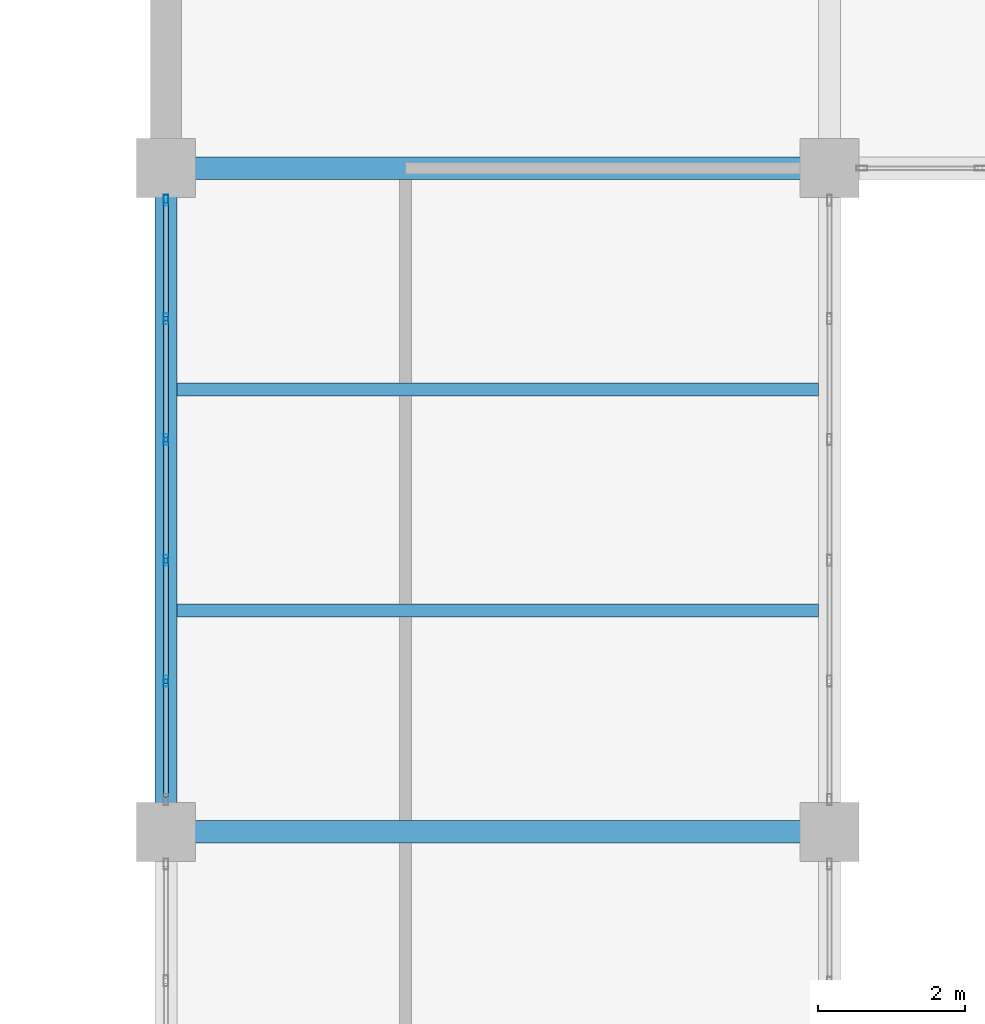
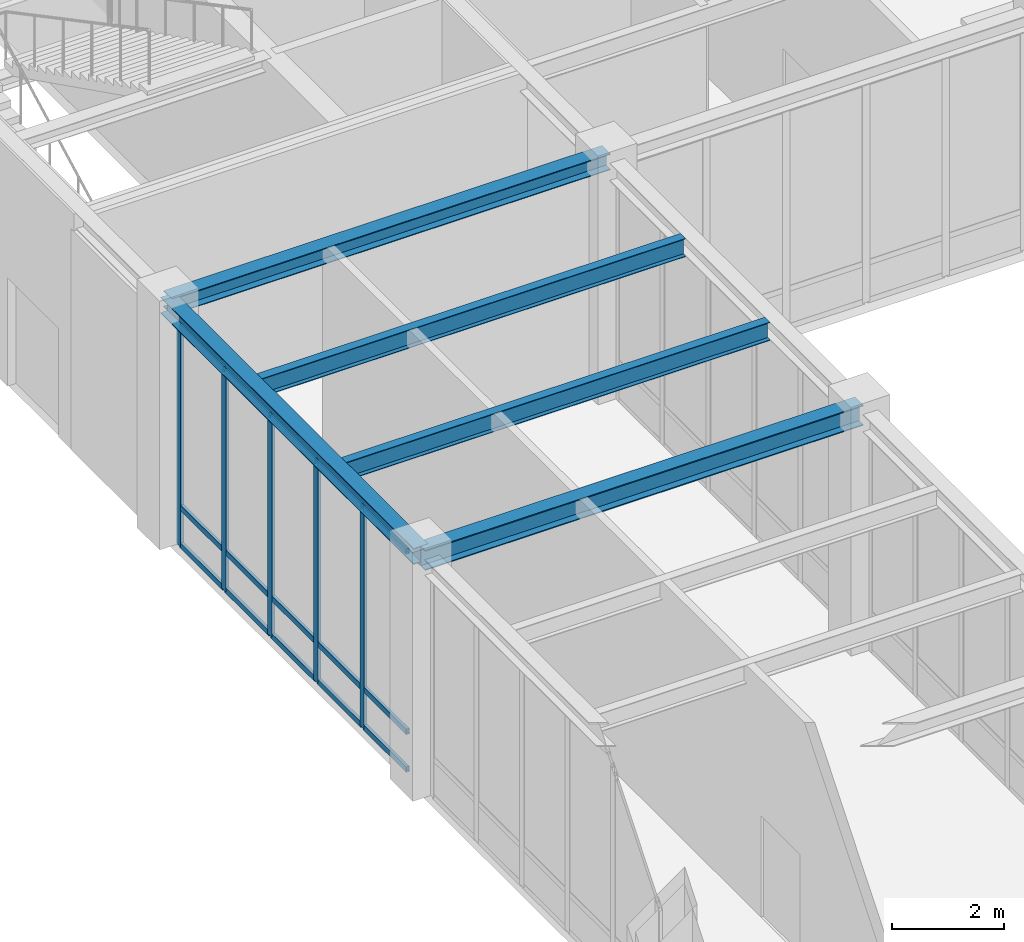
# One storey, part 23 of 77: 20 members, 5 beams, 1 element without a shape of its own.
"""IFC4 building model written with IfcOpenShell, lengths in metres."""

from ifc_helpers import new_model, si_unit, direction, frame, origin, origin_2d, place, context, subcontext, project, spatial, hollow_rectangle, i_section, extrude, material, material_profile, profile_set, type_object, element, aggregate, save


model = new_model("IFC4")

# Units and contexts
model_context = context("Model", 3, precision=1e-05, world=origin(), true_north=direction((0.0, 1.0)))
body_context = subcontext(model_context, "Body", "Model", "MODEL_VIEW")
ifc_project = project(units=[si_unit("LENGTHUNIT", "METRE"), si_unit("AREAUNIT", "SQUARE_METRE"), si_unit("VOLUMEUNIT", "CUBIC_METRE"), si_unit("PLANEANGLEUNIT", "RADIAN"), si_unit("MASSUNIT", "GRAM", prefix="KILO")], contexts=[model_context])

# Site, building, storey
site_placement = place(None, origin())
site = spatial("IfcSite", under=ifc_project, at=site_placement, CompositionType="ELEMENT")
building_placement = place(site_placement, origin())
building = spatial("IfcBuilding", under=site, at=building_placement, Name="Lykobir Media Centre", CompositionType="ELEMENT")
storey_placement = place(building_placement, origin())
storey = spatial("IfcBuildingStorey", under=building, at=storey_placement, Name="L00", CompositionType="ELEMENT", Elevation=0.0)

# Beam
ifc_material_1 = material(Name="Steel S355", Category="steel")
ifc_material_profile_1 = material_profile(ifc_material_1, i_section(OverallWidth=0.300048828125, OverallDepth=0.43994140625, WebThickness=0.011474609375, FlangeThickness=0.02099609375, at=origin_2d()), Name="HEA 450")
ifc_profile_set_1 = profile_set([ifc_material_profile_1], Name="Steel S355")
beam_type_1 = type_object("IfcBeamType", Name="BM-HEA450", PredefinedType="BEAM", material=ifc_profile_set_1)
beam_placement = place(storey_placement, frame((27.0, 54.0, 4.93994140625), z_axis=(1.0, 0.0, 0.0), x_axis=(0.0, 1.0, 0.0)))
element("IfcBeam", 1, at=beam_placement, inside=storey, type_object=beam_type_1, Name="Beam BM-L00-0270-0540-0360-0540-494", PredefinedType="BEAM", context=body_context, shape_type="SweptSolid", body=[
    extrude(i_section(OverallWidth=0.300048828125, OverallDepth=0.43994140625, WebThickness=0.011474609375, FlangeThickness=0.02099609375, at=origin_2d()), origin(), (0.0, 0.0, 1.0), 9.0),
])

# Curtain wall, members
ifc_material_2 = material(Name="Anodized Aluminium AW-6060", Category="aluminium")
curtain_wall_type = type_object("IfcCurtainWallType", Name="CW-COURT-A", PredefinedType="NOTDEFINED", material=ifc_material_2)
curtain_wall_placement = place(storey_placement, origin())
curtain_wall = element("IfcCurtainWall", 2, at=curtain_wall_placement, inside=storey, type_object=curtain_wall_type, Name="Curtain wall CW2-L00-0024", PredefinedType="NOTDEFINED")
ifc_material_profile_2 = material_profile(ifc_material_2, hollow_rectangle(XDim=0.06494140625, YDim=0.14990234375, WallThickness=0.00341796875, at=origin_2d()), Name="ALU MULLION 65x150")
ifc_profile_set_2 = profile_set([ifc_material_profile_2], Name="Anodized Aluminium AW-6060")
member_type_1 = type_object("IfcMemberType", Name="CWM-150", PredefinedType="MULLION", material=ifc_profile_set_2)
member_1_placement = place(storey_placement, frame((27.0, 56.04296875, 0.0), z_axis=(0.0, 0.0, 1.0), x_axis=(-1.0, 0.0, 0.0)))
member_1 = element("IfcMember", 3, at=member_1_placement, type_object=member_type_1, Name="CW2-L00-0024 mullion 2", PredefinedType="MULLION", context=body_context, shape_type="SweptSolid", body=[
    extrude(hollow_rectangle(XDim=0.06494140625, YDim=0.14990234375, WallThickness=0.00341796875, at=origin_2d()), origin(), (0.0, 0.0, 1.0), 4.794921875),
])
member_2_placement = place(storey_placement, frame((27.0, 57.680908203125, 0.0), z_axis=(0.0, 0.0, 1.0), x_axis=(-1.0, 0.0, 0.0)))
member_2 = element("IfcMember", 4, at=member_2_placement, type_object=member_type_1, Name="CW2-L00-0024 mullion 3", PredefinedType="MULLION", context=body_context, shape_type="SweptSolid", body=[
    extrude(hollow_rectangle(XDim=0.06494140625, YDim=0.14990234375, WallThickness=0.00341796875, at=origin_2d()), origin(), (0.0, 0.0, 1.0), 4.794921875),
])
member_3_placement = place(storey_placement, frame((27.0, 59.319091796875, 0.0), z_axis=(0.0, 0.0, 1.0), x_axis=(-1.0, 0.0, 0.0)))
member_3 = element("IfcMember", 5, at=member_3_placement, type_object=member_type_1, Name="CW2-L00-0024 mullion 4", PredefinedType="MULLION", context=body_context, shape_type="SweptSolid", body=[
    extrude(hollow_rectangle(XDim=0.06494140625, YDim=0.14990234375, WallThickness=0.00341796875, at=origin_2d()), origin(), (0.0, 0.0, 1.0), 4.794921875),
])
member_4_placement = place(storey_placement, frame((27.0, 60.95703125, 0.0), z_axis=(0.0, 0.0, 1.0), x_axis=(-1.0, 0.0, 0.0)))
member_4 = element("IfcMember", 6, at=member_4_placement, type_object=member_type_1, Name="CW2-L00-0024 mullion 5", PredefinedType="MULLION", context=body_context, shape_type="SweptSolid", body=[
    extrude(hollow_rectangle(XDim=0.06494140625, YDim=0.14990234375, WallThickness=0.00341796875, at=origin_2d()), origin(), (0.0, 0.0, 1.0), 4.794921875),
])
member_5_placement = place(storey_placement, frame((27.0, 62.5625, 0.0), z_axis=(0.0, 0.0, 1.0), x_axis=(-1.0, 0.0, 0.0)))
member_5 = element("IfcMember", 7, at=member_5_placement, type_object=member_type_1, Name="CW2-L00-0024 mullion 6", PredefinedType="MULLION", context=body_context, shape_type="SweptSolid", body=[
    extrude(hollow_rectangle(XDim=0.06494140625, YDim=0.14990234375, WallThickness=0.00341796875, at=origin_2d()), origin(), (0.0, 0.0, 1.0), 4.794921875),
])
ifc_material_profile_3 = material_profile(ifc_material_2, hollow_rectangle(XDim=0.06494140625, YDim=0.1201171875, WallThickness=0.0029296875, at=origin_2d()), Name="ALU TRANSOM 65x120")
ifc_profile_set_3 = profile_set([ifc_material_profile_3], Name="Anodized Aluminium AW-6060")
member_type_2 = type_object("IfcMemberType", Name="CWT-120", PredefinedType="USERDEFINED", material=ifc_profile_set_3)
member_6_placement = place(storey_placement, frame((27.0, 54.469970703125, 0.032470703125), z_axis=(0.0, 1.0, 0.0), x_axis=(-1.0, 0.0, 0.0)))
member_6 = element("IfcMember", 8, at=member_6_placement, type_object=member_type_2, Name="CW2-L00-0024 transom 1.1", ObjectType="TRANSOM", PredefinedType="USERDEFINED", context=body_context, shape_type="SweptSolid", body=[
    extrude(hollow_rectangle(XDim=0.06494140625, YDim=0.1201171875, WallThickness=0.0029296875, at=origin_2d()), origin(), (0.0, 0.0, 1.0), 1.54052734375),
])
member_7_placement = place(storey_placement, frame((27.0, 54.469970703125, 0.85009765625), z_axis=(0.0, 1.0, 0.0), x_axis=(-1.0, 0.0, 0.0)))
member_7 = element("IfcMember", 9, at=member_7_placement, type_object=member_type_2, Name="CW2-L00-0024 transom 1.2", ObjectType="TRANSOM", PredefinedType="USERDEFINED", context=body_context, shape_type="SweptSolid", body=[
    extrude(hollow_rectangle(XDim=0.06494140625, YDim=0.1201171875, WallThickness=0.0029296875, at=origin_2d()), origin(), (0.0, 0.0, 1.0), 1.54052734375),
])
member_8_placement = place(storey_placement, frame((27.0, 54.469970703125, 4.762451171875), z_axis=(0.0, 1.0, 0.0), x_axis=(-1.0, 0.0, 0.0)))
member_8 = element("IfcMember", 10, at=member_8_placement, type_object=member_type_2, Name="CW2-L00-0024 transom 1.3", ObjectType="TRANSOM", PredefinedType="USERDEFINED", context=body_context, shape_type="SweptSolid", body=[
    extrude(hollow_rectangle(XDim=0.06494140625, YDim=0.1201171875, WallThickness=0.0029296875, at=origin_2d()), origin(), (0.0, 0.0, 1.0), 1.54052734375),
])
member_9_placement = place(storey_placement, frame((27.0, 56.075439453125, 0.032470703125), z_axis=(0.0, 1.0, 0.0), x_axis=(-1.0, 0.0, 0.0)))
member_9 = element("IfcMember", 11, at=member_9_placement, type_object=member_type_2, Name="CW2-L00-0024 transom 2.1", ObjectType="TRANSOM", PredefinedType="USERDEFINED", context=body_context, shape_type="SweptSolid", body=[
    extrude(hollow_rectangle(XDim=0.06494140625, YDim=0.1201171875, WallThickness=0.0029296875, at=origin_2d()), origin(), (0.0, 0.0, 1.0), 1.572998046875),
])
member_10_placement = place(storey_placement, frame((27.0, 56.075439453125, 0.85009765625), z_axis=(0.0, 1.0, 0.0), x_axis=(-1.0, 0.0, 0.0)))
member_10 = element("IfcMember", 12, at=member_10_placement, type_object=member_type_2, Name="CW2-L00-0024 transom 2.2", ObjectType="TRANSOM", PredefinedType="USERDEFINED", context=body_context, shape_type="SweptSolid", body=[
    extrude(hollow_rectangle(XDim=0.06494140625, YDim=0.1201171875, WallThickness=0.0029296875, at=origin_2d()), origin(), (0.0, 0.0, 1.0), 1.572998046875),
])
member_11_placement = place(storey_placement, frame((27.0, 56.075439453125, 4.762451171875), z_axis=(0.0, 1.0, 0.0), x_axis=(-1.0, 0.0, 0.0)))
member_11 = element("IfcMember", 13, at=member_11_placement, type_object=member_type_2, Name="CW2-L00-0024 transom 2.3", ObjectType="TRANSOM", PredefinedType="USERDEFINED", context=body_context, shape_type="SweptSolid", body=[
    extrude(hollow_rectangle(XDim=0.06494140625, YDim=0.1201171875, WallThickness=0.0029296875, at=origin_2d()), origin(), (0.0, 0.0, 1.0), 1.572998046875),
])
member_12_placement = place(storey_placement, frame((27.0, 57.71337890625, 0.032470703125), z_axis=(0.0, 1.0, 0.0), x_axis=(-1.0, 0.0, 0.0)))
member_12 = element("IfcMember", 14, at=member_12_placement, type_object=member_type_2, Name="CW2-L00-0024 transom 3.1", ObjectType="TRANSOM", PredefinedType="USERDEFINED", context=body_context, shape_type="SweptSolid", body=[
    extrude(hollow_rectangle(XDim=0.06494140625, YDim=0.1201171875, WallThickness=0.0029296875, at=origin_2d()), origin(), (0.0, 0.0, 1.0), 1.5732421875),
])
member_13_placement = place(storey_placement, frame((27.0, 57.71337890625, 0.85009765625), z_axis=(0.0, 1.0, 0.0), x_axis=(-1.0, 0.0, 0.0)))
member_13 = element("IfcMember", 15, at=member_13_placement, type_object=member_type_2, Name="CW2-L00-0024 transom 3.2", ObjectType="TRANSOM", PredefinedType="USERDEFINED", context=body_context, shape_type="SweptSolid", body=[
    extrude(hollow_rectangle(XDim=0.06494140625, YDim=0.1201171875, WallThickness=0.0029296875, at=origin_2d()), origin(), (0.0, 0.0, 1.0), 1.5732421875),
])
member_14_placement = place(storey_placement, frame((27.0, 57.71337890625, 4.762451171875), z_axis=(0.0, 1.0, 0.0), x_axis=(-1.0, 0.0, 0.0)))
member_14 = element("IfcMember", 16, at=member_14_placement, type_object=member_type_2, Name="CW2-L00-0024 transom 3.3", ObjectType="TRANSOM", PredefinedType="USERDEFINED", context=body_context, shape_type="SweptSolid", body=[
    extrude(hollow_rectangle(XDim=0.06494140625, YDim=0.1201171875, WallThickness=0.0029296875, at=origin_2d()), origin(), (0.0, 0.0, 1.0), 1.5732421875),
])
member_15_placement = place(storey_placement, frame((27.0, 59.3515625, 0.032470703125), z_axis=(0.0, 1.0, 0.0), x_axis=(-1.0, 0.0, 0.0)))
member_15 = element("IfcMember", 17, at=member_15_placement, type_object=member_type_2, Name="CW2-L00-0024 transom 4.1", ObjectType="TRANSOM", PredefinedType="USERDEFINED", context=body_context, shape_type="SweptSolid", body=[
    extrude(hollow_rectangle(XDim=0.06494140625, YDim=0.1201171875, WallThickness=0.0029296875, at=origin_2d()), origin(), (0.0, 0.0, 1.0), 1.572998046875),
])
member_16_placement = place(storey_placement, frame((27.0, 59.3515625, 0.85009765625), z_axis=(0.0, 1.0, 0.0), x_axis=(-1.0, 0.0, 0.0)))
member_16 = element("IfcMember", 18, at=member_16_placement, type_object=member_type_2, Name="CW2-L00-0024 transom 4.2", ObjectType="TRANSOM", PredefinedType="USERDEFINED", context=body_context, shape_type="SweptSolid", body=[
    extrude(hollow_rectangle(XDim=0.06494140625, YDim=0.1201171875, WallThickness=0.0029296875, at=origin_2d()), origin(), (0.0, 0.0, 1.0), 1.572998046875),
])
member_17_placement = place(storey_placement, frame((27.0, 59.3515625, 4.762451171875), z_axis=(0.0, 1.0, 0.0), x_axis=(-1.0, 0.0, 0.0)))
member_17 = element("IfcMember", 19, at=member_17_placement, type_object=member_type_2, Name="CW2-L00-0024 transom 4.3", ObjectType="TRANSOM", PredefinedType="USERDEFINED", context=body_context, shape_type="SweptSolid", body=[
    extrude(hollow_rectangle(XDim=0.06494140625, YDim=0.1201171875, WallThickness=0.0029296875, at=origin_2d()), origin(), (0.0, 0.0, 1.0), 1.572998046875),
])
member_18_placement = place(storey_placement, frame((27.0, 60.989501953125, 0.032470703125), z_axis=(0.0, 1.0, 0.0), x_axis=(-1.0, 0.0, 0.0)))
member_18 = element("IfcMember", 20, at=member_18_placement, type_object=member_type_2, Name="CW2-L00-0024 transom 5.1", ObjectType="TRANSOM", PredefinedType="USERDEFINED", context=body_context, shape_type="SweptSolid", body=[
    extrude(hollow_rectangle(XDim=0.06494140625, YDim=0.1201171875, WallThickness=0.0029296875, at=origin_2d()), origin(), (0.0, 0.0, 1.0), 1.54052734375),
])
member_19_placement = place(storey_placement, frame((27.0, 60.989501953125, 0.85009765625), z_axis=(0.0, 1.0, 0.0), x_axis=(-1.0, 0.0, 0.0)))
member_19 = element("IfcMember", 21, at=member_19_placement, type_object=member_type_2, Name="CW2-L00-0024 transom 5.2", ObjectType="TRANSOM", PredefinedType="USERDEFINED", context=body_context, shape_type="SweptSolid", body=[
    extrude(hollow_rectangle(XDim=0.06494140625, YDim=0.1201171875, WallThickness=0.0029296875, at=origin_2d()), origin(), (0.0, 0.0, 1.0), 1.54052734375),
])
member_20_placement = place(storey_placement, frame((27.0, 60.989501953125, 4.762451171875), z_axis=(0.0, 1.0, 0.0), x_axis=(-1.0, 0.0, 0.0)))
member_20 = element("IfcMember", 22, at=member_20_placement, type_object=member_type_2, Name="CW2-L00-0024 transom 5.3", ObjectType="TRANSOM", PredefinedType="USERDEFINED", context=body_context, shape_type="SweptSolid", body=[
    extrude(hollow_rectangle(XDim=0.06494140625, YDim=0.1201171875, WallThickness=0.0029296875, at=origin_2d()), origin(), (0.0, 0.0, 1.0), 1.54052734375),
])
aggregate(curtain_wall, [member_1, member_2, member_3, member_4, member_5, member_6, member_7, member_8, member_9, member_10, member_11, member_12, member_13, member_14, member_15, member_16, member_17, member_18, member_19, member_20])

# Beams
ifc_material_profile_4 = material_profile(ifc_material_1, i_section(OverallWidth=0.179931640625, OverallDepth=0.39990234375, WebThickness=0.008544921875, FlangeThickness=0.013427734375, at=origin_2d()), Name="IPE 400")
ifc_profile_set_4 = profile_set([ifc_material_profile_4], Name="Steel S355")
beam_type_2 = type_object("IfcBeamType", Name="JS-IPE400", PredefinedType="JOIST", material=ifc_profile_set_4)
for number, where, z_axis, x_axis, name in (
    (23, (27.14990234375, 57.0, 4.9599609375), (1.0, 0.0, 0.0), (0.0, 1.0, 0.0), "Beam BM-L00-0272-0570-0358-0570-496"),
    (24, (27.14990234375, 60.0, 4.9599609375), (1.0, 0.0, 0.0), (0.0, 1.0, 0.0), "Beam BM-L00-0272-0600-0358-0600-496"),
):
    element("IfcBeam", number, at=place(storey_placement, frame(where, z_axis=z_axis, x_axis=x_axis)), inside=storey, type_object=beam_type_2, Name=name, PredefinedType="JOIST", context=body_context, shape_type="SweptSolid", body=[
        extrude(i_section(OverallWidth=0.179931640625, OverallDepth=0.39990234375, WebThickness=0.008544921875, FlangeThickness=0.013427734375, at=origin_2d()), origin(), (0.0, 0.0, 1.0), 8.7001953125),
    ])
ifc_material_profile_5 = material_profile(ifc_material_1, i_section(OverallWidth=0.300048828125, OverallDepth=0.35009765625, WebThickness=0.010009765625, FlangeThickness=0.017578125, at=origin_2d()), Name="HEA 360")
ifc_profile_set_5 = profile_set([ifc_material_profile_5], Name="Steel S355")
beam_type_3 = type_object("IfcBeamType", Name="SP-HEA360", PredefinedType="SPANDREL", material=ifc_profile_set_5)
for number, where, z_axis, x_axis, name in (
    (25, (27.0, 63.0, 4.985107421875), (1.0, 0.0, 0.0), (0.0, 1.0, 0.0), "Beam BM-L00-0270-0630-0360-0630-499"),
    (26, (27.0, 54.0, 4.985107421875), (0.0, 1.0, 0.0), (-1.0, 0.0, 0.0), "Beam BM-L00-0270-0540-0270-0630-499"),
):
    element("IfcBeam", number, at=place(storey_placement, frame(where, z_axis=z_axis, x_axis=x_axis)), inside=storey, type_object=beam_type_3, Name=name, PredefinedType="SPANDREL", context=body_context, shape_type="SweptSolid", body=[
        extrude(i_section(OverallWidth=0.300048828125, OverallDepth=0.35009765625, WebThickness=0.010009765625, FlangeThickness=0.017578125, at=origin_2d()), origin(), (0.0, 0.0, 1.0), 9.0),
    ])

save(model, "model.ifc")
